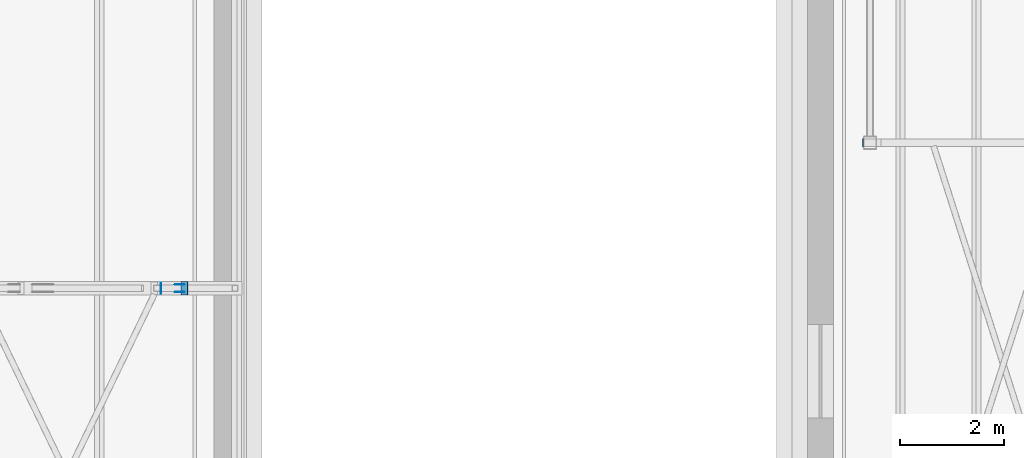
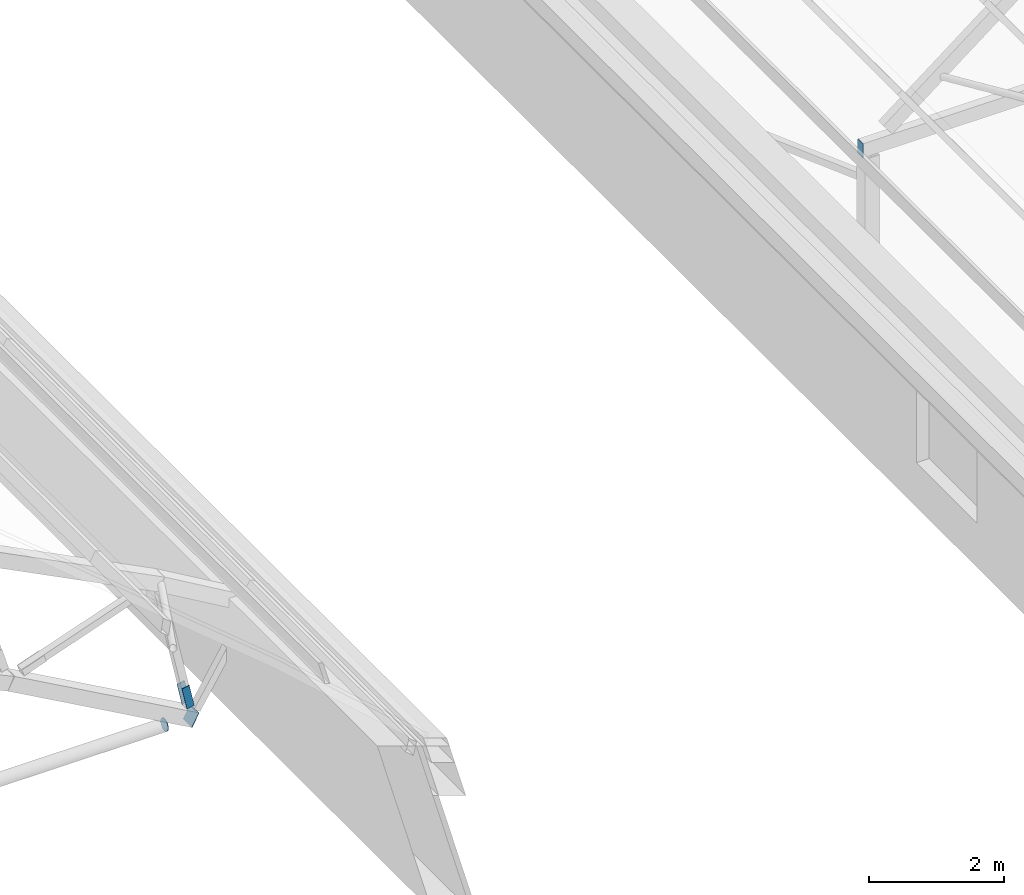
# One storey, part 95 of 127: 5 discrete accessories.
"""IFC4 building model written with IfcOpenShell, lengths in metres."""

from ifc_helpers import new_model, si_unit, direction, frame, origin, origin_2d, place, context, subcontext, project, spatial, rectangle, circle, extrude, material, material_profile, profile_set, type_object, element, save


model = new_model("IFC4")

# Units and contexts
model_context = context("Model", 3, precision=1e-05, world=origin(), true_north=direction((0.0, 1.0)))
body_context = subcontext(model_context, "Body", "Model", "MODEL_VIEW")
ifc_project = project(units=[si_unit("LENGTHUNIT", "METRE"), si_unit("AREAUNIT", "SQUARE_METRE"), si_unit("VOLUMEUNIT", "CUBIC_METRE"), si_unit("PLANEANGLEUNIT", "RADIAN"), si_unit("MASSUNIT", "GRAM", prefix="KILO")], contexts=[model_context])

# Site, building, storey
site_placement = place(None, origin())
site = spatial("IfcSite", under=ifc_project, at=site_placement, CompositionType="ELEMENT")
building_placement = place(site_placement, origin())
building = spatial("IfcBuilding", under=site, at=building_placement, Name="Verrick Yard Athletic Hall", CompositionType="ELEMENT")
storey_placement = place(building_placement, frame((0.0, 0.0, 14.0)))
storey = spatial("IfcBuildingStorey", under=building, at=storey_placement, Name="L03", CompositionType="ELEMENT", Elevation=14.0)

# Discrete accessories
ifc_material = material(Name="Structural steel 350W (CSA G40.21)", Category="steel")
ifc_material_profile_1 = material_profile(ifc_material, rectangle(XDim=0.39990234375, YDim=0.126953125, at=origin_2d()), Name="Brace end cheek plate")
ifc_profile_set_1 = profile_set([ifc_material_profile_1], Name="Structural steel 350W (CSA G40.21)")
discrete_accessory_type_1 = type_object("IfcDiscreteAccessoryType", Name="Brace end cheek plate 400x127x12", PredefinedType="BRACKET", material=ifc_profile_set_1)
for number, where, z_axis, x_axis, name in (
    (1, (75.908935546875, 79.136474609375, 0.416015625), (0.0, -1.0, 0.0), (-0.213605450371, 0.0, 0.976920012883), "Truss web end plate TB2-28 1"),
    (2, (75.908935546875, 79.263427734375, 0.416015625), (0.0, 1.0, 0.0), (-0.213605450371, 0.0, 0.976920012883), "Truss web end plate TB2-28 2"),
):
    element("IfcDiscreteAccessory", number, at=place(storey_placement, frame(where, z_axis=z_axis, x_axis=x_axis)), inside=storey, type_object=discrete_accessory_type_1, Name=name, PredefinedType="BRACKET", context=body_context, shape_type="SweptSolid", body=[
        extrude(rectangle(XDim=0.39990234375, YDim=0.126953125, at=origin_2d()), origin(), (0.0, 0.0, 1.0), 0.011962890625),
    ])
ifc_material_profile_2 = material_profile(ifc_material, rectangle(XDim=0.25390625, YDim=0.25390625, at=origin_2d()), Name="STR End cap plate 254x254x9.5")
ifc_profile_set_2 = profile_set([ifc_material_profile_2], Name="Structural steel 350W (CSA G40.21)")
discrete_accessory_type_2 = type_object("IfcDiscreteAccessoryType", Name="STR End cap plate 254x254x9.5", PredefinedType="BRACKET", material=ifc_profile_set_2)
discrete_accessory_1_placement = place(storey_placement, frame((76.0, 79.199951171875, 0.0), z_axis=(0.874157276122, 0.0, -0.485642931179), x_axis=(0.0, 1.0, 0.0)))
element("IfcDiscreteAccessory", 3, at=discrete_accessory_1_placement, inside=storey, type_object=discrete_accessory_type_2, Name="End cap Truss TB2 bottom chord 14 B", PredefinedType="BRACKET", context=body_context, shape_type="SweptSolid", body=[
    extrude(rectangle(XDim=0.25390625, YDim=0.25390625, at=origin_2d()), origin(), (0.0, 0.0, 1.0), 0.010009765625),
])
ifc_material_profile_3 = material_profile(ifc_material, rectangle(XDim=0.15234375, YDim=0.25390625, at=origin_2d()), Name="STR End cap plate 254x152x9.5")
ifc_profile_set_3 = profile_set([ifc_material_profile_3], Name="Structural steel 350W (CSA G40.21)")
discrete_accessory_type_3 = type_object("IfcDiscreteAccessoryType", Name="STR End cap plate 254x152x9.5", PredefinedType="BRACKET", material=ifc_profile_set_3)
discrete_accessory_2_placement = place(storey_placement, frame((89.06298828125, 82.0, 3.9892578125), z_axis=(1.0, 0.0, 0.0), x_axis=(0.0, 1.0, 0.0)))
element("IfcDiscreteAccessory", 4, at=discrete_accessory_2_placement, inside=storey, type_object=discrete_accessory_type_3, Name="End cap HB-RT-2W A", PredefinedType="BRACKET", context=body_context, shape_type="SweptSolid", body=[
    extrude(rectangle(XDim=0.15234375, YDim=0.25390625, at=origin_2d()), origin(), (0.0, 0.0, 1.0), 0.010009765625),
])
ifc_material_profile_4 = material_profile(ifc_material, circle(Radius=0.109619140625, at=origin_2d()), Name="STR End cap plate 219x13")
ifc_profile_set_4 = profile_set([ifc_material_profile_4], Name="Structural steel 350W (CSA G40.21)")
discrete_accessory_type_4 = type_object("IfcDiscreteAccessoryType", Name="STR End cap plate 219x13", PredefinedType="BRACKET", material=ifc_profile_set_4)
discrete_accessory_3_placement = place(storey_placement, frame((75.543701171875, 79.199951171875, 0.0), z_axis=(1.0, 0.0, 0.0), x_axis=(0.0, 1.0, 0.0)))
element("IfcDiscreteAccessory", 5, at=discrete_accessory_3_placement, inside=storey, type_object=discrete_accessory_type_4, Name="End cap Truss TB2 tie 1 B", PredefinedType="BRACKET", context=body_context, shape_type="SweptSolid", body=[
    extrude(circle(Radius=0.109619140625, at=origin_2d()), origin(), (0.0, 0.0, 1.0), 0.010009765625),
])

save(model, "model.ifc")
